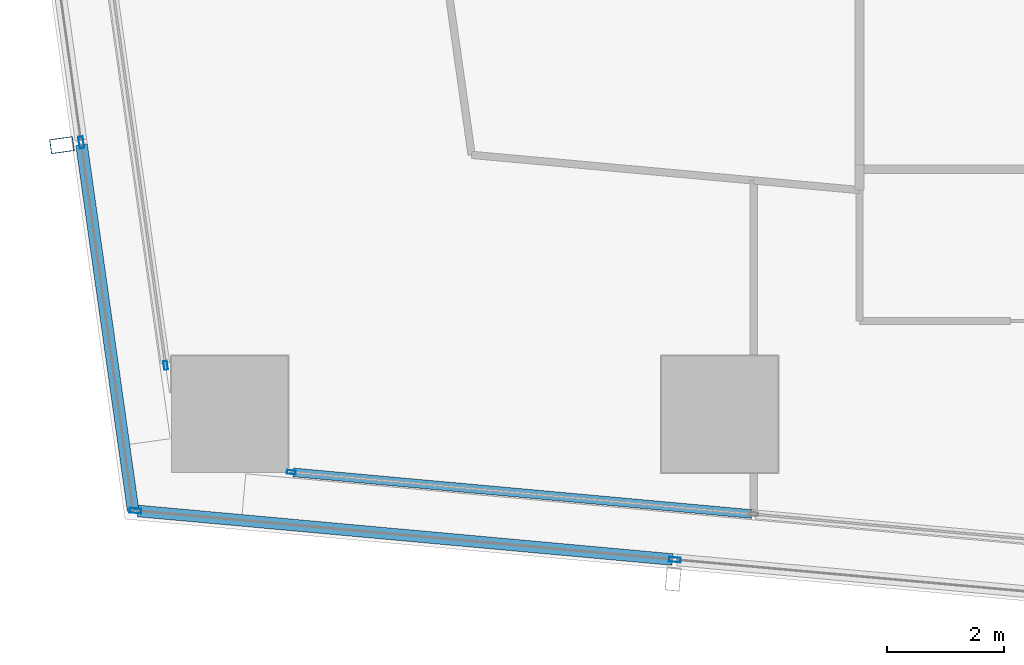
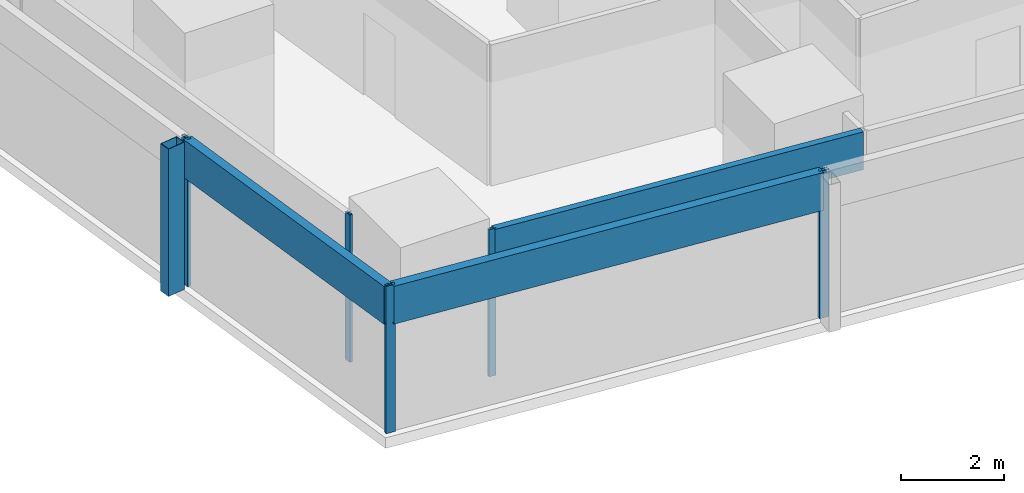
# One storey, part 2 of 39: 9 members, 4 elements without a shape of their own.
"""IFC4 building model written with IfcOpenShell, lengths in metres."""

from ifc_helpers import new_model, si_unit, direction, frame, origin, origin_2d, place, context, subcontext, project, spatial, hollow_rectangle, extrude, material, material_profile, profile_set, type_object, element, aggregate, save


model = new_model("IFC4")

# Units and contexts
model_context = context("Model", 3, precision=1e-05, world=origin(), true_north=direction((0.0, 1.0)))
body_context = subcontext(model_context, "Body", "Model", "MODEL_VIEW")
ifc_project = project(units=[si_unit("LENGTHUNIT", "METRE"), si_unit("AREAUNIT", "SQUARE_METRE"), si_unit("VOLUMEUNIT", "CUBIC_METRE"), si_unit("PLANEANGLEUNIT", "RADIAN"), si_unit("MASSUNIT", "GRAM", prefix="KILO")], contexts=[model_context])

# Site, building, storey
site_placement = place(None, origin())
site = spatial("IfcSite", under=ifc_project, at=site_placement, CompositionType="ELEMENT")
building_placement = place(site_placement, origin())
building = spatial("IfcBuilding", under=site, at=building_placement, Name="Rekha Terrace Tower", CompositionType="ELEMENT")
storey_placement = place(building_placement, frame((0.0, 0.0, 147.800048828125)))
storey = spatial("IfcBuildingStorey", under=building, at=storey_placement, Name="L37", CompositionType="ELEMENT", Elevation=147.800048828125)

# Curtain wall, member
ifc_material_1 = material(Name="Aluminium framing", Category="aluminium")
curtain_wall_type_1 = type_object("IfcCurtainWallType", Name="CW2 double skin outer glazing", PredefinedType="USERDEFINED", material=ifc_material_1)
curtain_wall_1_placement = place(storey_placement, origin())
curtain_wall_1 = element("IfcCurtainWall", 1, at=curtain_wall_1_placement, inside=storey, type_object=curtain_wall_type_1, Name="CW2 double skin outer glazing", ObjectType="DOUBLE SKIN OUTER GLAZING", PredefinedType="USERDEFINED")
ifc_material_2 = material(Name="Steel S355 with fluorocarbon finish", Category="steel")
ifc_material_profile_1 = material_profile(ifc_material_2, hollow_rectangle(XDim=0.25, YDim=0.39990234375, WallThickness=0.012451171875, at=origin_2d()), Name="RHS400x250x12.5")
ifc_profile_set_1 = profile_set([ifc_material_profile_1], Name="Steel S355 with fluorocarbon finish")
member_type_1 = type_object("IfcMemberType", Name="BL1 facade blade RHS 400 x 250", PredefinedType="USERDEFINED", material=ifc_profile_set_1)
member_1_placement = place(storey_placement, frame((5.51904296875, 21.41455078125, 0.0), z_axis=(0.0, 0.0, 1.0), x_axis=(0.139596532461, -0.990208467003, 0.0)))
member_1 = element("IfcMember", 2, at=member_1_placement, type_object=member_type_1, Name="Facade blade", ObjectType="FACADE BLADE", PredefinedType="USERDEFINED", context=body_context, shape_type="SweptSolid", body=[
    extrude(hollow_rectangle(XDim=0.25, YDim=0.39990234375, WallThickness=0.012451171875, at=origin_2d()), origin(), (0.0, 0.0, 1.0), 3.5),
])

curtain_wall_type_2 = type_object("IfcCurtainWallType", Name="CW1 double skin inner glazing", PredefinedType="USERDEFINED", material=ifc_material_1)
curtain_wall_2_placement = place(storey_placement, origin())
curtain_wall_2 = element("IfcCurtainWall", 3, at=curtain_wall_2_placement, inside=storey, type_object=curtain_wall_type_2, Name="CW1 double skin inner glazing", ObjectType="DOUBLE SKIN INNER GLAZING", PredefinedType="USERDEFINED")
ifc_material_3 = material(Name="Aluminium mullion section", Category="aluminium")
ifc_material_profile_2 = material_profile(ifc_material_3, hollow_rectangle(XDim=0.06494140625, YDim=0.14990234375, WallThickness=0.00390625, at=origin_2d()), Name="AL RHS 65x150")
ifc_profile_set_2 = profile_set([ifc_material_profile_2], Name="Aluminium mullion section")
member_type_2 = type_object("IfcMemberType", Name="CW1 mullion RHS 65 x 150", PredefinedType="MULLION", material=ifc_profile_set_2)
member_2_placement = place(storey_placement, frame((9.453125, 15.80517578125, 0.0), z_axis=(0.0, 0.0, 1.0), x_axis=(0.090439811381, 0.995901923142, 0.0)))
member_2 = element("IfcMember", 4, at=member_2_placement, type_object=member_type_2, Name="CW1 mullion 1", PredefinedType="MULLION", context=body_context, shape_type="SweptSolid", body=[
    extrude(hollow_rectangle(XDim=0.06494140625, YDim=0.14990234375, WallThickness=0.00390625, at=origin_2d()), origin(), (0.0, 0.0, 1.0), 3.5),
])

curtain_wall_3_placement = place(storey_placement, origin())
curtain_wall_3 = element("IfcCurtainWall", 5, at=curtain_wall_3_placement, inside=storey, type_object=curtain_wall_type_2, Name="CW1 double skin inner glazing", ObjectType="DOUBLE SKIN INNER GLAZING", PredefinedType="USERDEFINED")
member_3_placement = place(storey_placement, frame((7.298583984375, 17.637939453125, 0.0), z_axis=(0.0, 0.0, 1.0), x_axis=(0.990208394312, 0.139597048082, 0.0)))
member_3 = element("IfcMember", 6, at=member_3_placement, type_object=member_type_2, Name="CW1 mullion 2", PredefinedType="MULLION", context=body_context, shape_type="SweptSolid", body=[
    extrude(hollow_rectangle(XDim=0.06494140625, YDim=0.14990234375, WallThickness=0.00390625, at=origin_2d()), origin(), (0.0, 0.0, 1.0), 3.5),
])
aggregate(curtain_wall_3, [member_3])

# Member
ifc_material_4 = material(Name="Insulated aluminium spandrel box", Category="aluminium")
ifc_material_profile_3 = material_profile(ifc_material_4, hollow_rectangle(XDim=0.14990234375, YDim=0.89990234375, WallThickness=0.0029296875, at=origin_2d()), Name="AL SPANDREL BOX 150x900")
ifc_profile_set_3 = profile_set([ifc_material_profile_3], Name="Insulated aluminium spandrel box")
member_type_3 = type_object("IfcMemberType", Name="CW1 spandrel transom 150 x 900", PredefinedType="USERDEFINED", material=ifc_profile_set_3)
member_4_placement = place(storey_placement, frame((9.485595703125, 15.80224609375, 3.050048828125), z_axis=(0.995901816063, -0.090440990497, 0.0), x_axis=(0.090440990497, 0.995901816063, 0.0)))
member_4 = element("IfcMember", 7, at=member_4_placement, type_object=member_type_3, Name="CW1 spandrel transom 1", ObjectType="TRANSOM", PredefinedType="USERDEFINED", context=body_context, shape_type="SweptSolid", body=[
    extrude(hollow_rectangle(XDim=0.14990234375, YDim=0.89990234375, WallThickness=0.0029296875, at=origin_2d()), origin(), (0.0, 0.0, 1.0), 7.898681640625),
])

aggregate(curtain_wall_2, [member_2, member_4])

# Curtain wall, members
curtain_wall_4_placement = place(storey_placement, origin())
curtain_wall_4 = element("IfcCurtainWall", 8, at=curtain_wall_4_placement, inside=storey, type_object=curtain_wall_type_1, Name="CW2 double skin outer glazing", ObjectType="DOUBLE SKIN OUTER GLAZING", PredefinedType="USERDEFINED")
ifc_material_profile_4 = material_profile(ifc_material_3, hollow_rectangle(XDim=0.080078125, YDim=0.199951171875, WallThickness=0.00390625, at=origin_2d()), Name="AL RHS 80x200")
ifc_profile_set_4 = profile_set([ifc_material_profile_4], Name="Aluminium mullion section")
member_type_4 = type_object("IfcMemberType", Name="CW2 mullion RHS 80 x 200", PredefinedType="MULLION", material=ifc_profile_set_4)
member_5_placement = place(storey_placement, frame((6.780517578125, 15.144287109375, 0.0), z_axis=(0.0, 0.0, 1.0), x_axis=(0.090439811433, 0.995901923137, 0.0)))
member_5 = element("IfcMember", 9, at=member_5_placement, type_object=member_type_4, Name="CW2 mullion 1", PredefinedType="MULLION", context=body_context, shape_type="SweptSolid", body=[
    extrude(hollow_rectangle(XDim=0.080078125, YDim=0.199951171875, WallThickness=0.00390625, at=origin_2d()), origin(), (0.0, 0.0, 1.0), 3.5),
])
member_6_placement = place(storey_placement, frame((16.032470703125, 14.30419921875, 0.0), z_axis=(0.0, 0.0, 1.0), x_axis=(0.090439811433, 0.995901923137, 0.0)))
member_6 = element("IfcMember", 10, at=member_6_placement, type_object=member_type_4, Name="CW2 mullion 2", PredefinedType="MULLION", context=body_context, shape_type="SweptSolid", body=[
    extrude(hollow_rectangle(XDim=0.080078125, YDim=0.199951171875, WallThickness=0.00390625, at=origin_2d()), origin(), (0.0, 0.0, 1.0), 3.5),
])

# Member
member_7_placement = place(storey_placement, frame((5.8505859375, 21.46142578125, 0.0), z_axis=(0.0, 0.0, 1.0), x_axis=(0.990208394312, 0.139597048082, 0.0)))
member_7 = element("IfcMember", 11, at=member_7_placement, type_object=member_type_4, Name="CW2 mullion 2", PredefinedType="MULLION", context=body_context, shape_type="SweptSolid", body=[
    extrude(hollow_rectangle(XDim=0.080078125, YDim=0.199951171875, WallThickness=0.00390625, at=origin_2d()), origin(), (0.0, 0.0, 1.0), 3.5),
])

ifc_material_profile_5 = material_profile(ifc_material_4, hollow_rectangle(XDim=0.199951171875, YDim=0.89990234375, WallThickness=0.0029296875, at=origin_2d()), Name="AL SPANDREL BOX 200x900")
ifc_profile_set_5 = profile_set([ifc_material_profile_5], Name="Insulated aluminium spandrel box")
member_type_5 = type_object("IfcMemberType", Name="CW2 spandrel transom 200 x 900", PredefinedType="USERDEFINED", material=ifc_profile_set_5)
member_8_placement = place(storey_placement, frame((6.8203125, 15.140625, 3.050048828125), z_axis=(0.995901458883, -0.090444923548, 0.0), x_axis=(0.090444923548, 0.995901458883, 0.0)))
member_8 = element("IfcMember", 12, at=member_8_placement, type_object=member_type_5, Name="CW2 spandrel transom 1", ObjectType="TRANSOM", PredefinedType="USERDEFINED", context=body_context, shape_type="SweptSolid", body=[
    extrude(hollow_rectangle(XDim=0.199951171875, YDim=0.89990234375, WallThickness=0.0029296875, at=origin_2d()), origin(), (0.0, 0.0, 1.0), 9.210205078125),
])

aggregate(curtain_wall_4, [member_5, member_6, member_8])

member_9_placement = place(storey_placement, frame((5.856201171875, 21.421875, 3.050048828125), z_axis=(0.139603155616, -0.990207533269, 0.0), x_axis=(0.990207533269, 0.139603155616, 0.0)))
member_9 = element("IfcMember", 13, at=member_9_placement, type_object=member_type_5, Name="CW2 spandrel transom 2", ObjectType="TRANSOM", PredefinedType="USERDEFINED", context=body_context, shape_type="SweptSolid", body=[
    extrude(hollow_rectangle(XDim=0.199951171875, YDim=0.89990234375, WallThickness=0.0029296875, at=origin_2d()), origin(), (0.0, 0.0, 1.0), 6.3359375),
])

aggregate(curtain_wall_1, [member_7, member_9, member_1])

save(model, "model.ifc")
